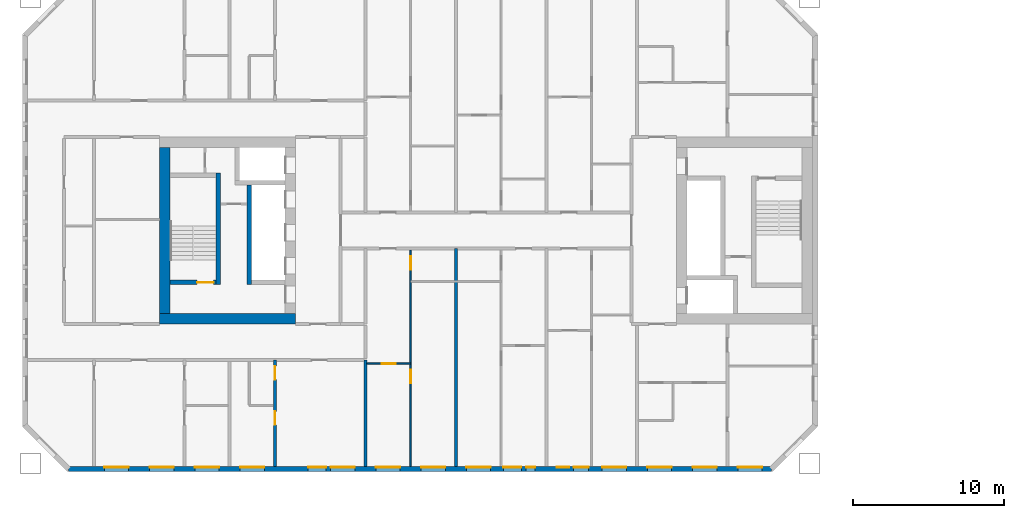
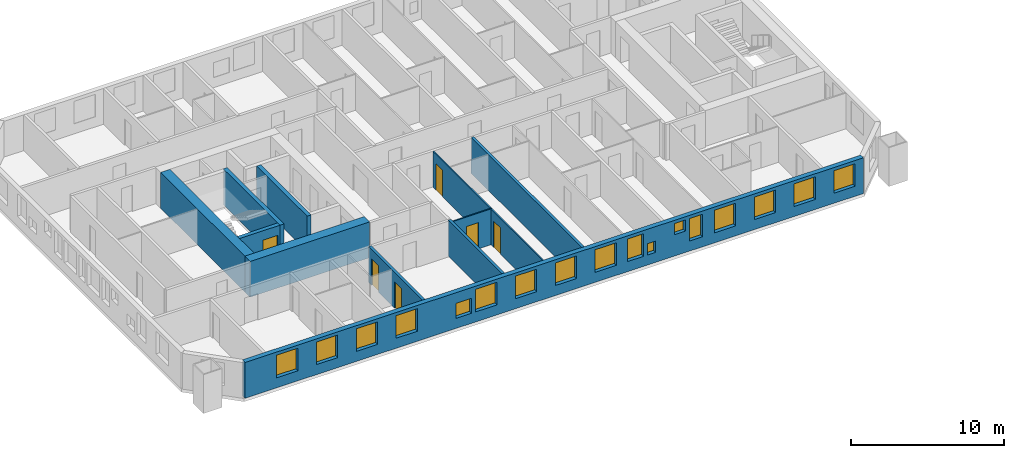
# One storey, part 3 of 17: 17 windows, 11 walls, 6 doors, 23 openings.
"""IFC4 building model written with IfcOpenShell, lengths in metres."""

from ifc_helpers import new_model, si_unit, direction, frame, frame_2d, origin, place, context, subcontext, project, spatial, rectangle, extrude, material, layer, layer_set, type_object, element, fill, save


model = new_model("IFC4")

# Units and contexts
model_context = context("Model", 3, precision=1e-05, world=origin(), true_north=direction((0.0, 1.0)))
body_context = subcontext(model_context, "Body", "Model", "MODEL_VIEW")
ifc_project = project(units=[si_unit("LENGTHUNIT", "METRE"), si_unit("AREAUNIT", "SQUARE_METRE"), si_unit("VOLUMEUNIT", "CUBIC_METRE"), si_unit("PLANEANGLEUNIT", "RADIAN"), si_unit("MASSUNIT", "GRAM", prefix="KILO")], contexts=[model_context])

# Site, building, storey
site_placement = place(None, origin())
site = spatial("IfcSite", under=ifc_project, at=site_placement, CompositionType="ELEMENT")
building_placement = place(site_placement, origin())
building = spatial("IfcBuilding", under=site, at=building_placement, Name="Tuart Gate Housing", CompositionType="ELEMENT")
storey_placement = place(building_placement, frame((0.0, 0.0, 80.89990234375)))
storey = spatial("IfcBuildingStorey", under=building, at=storey_placement, Name="L22", CompositionType="ELEMENT", Elevation=80.89990234375)

# Wall, openings, windows
ifc_material_1 = material(Name="Brick", Category="masonry")
ifc_layer_1 = layer(ifc_material_1, 0.360107421875)
ifc_layer_set_1 = layer_set([ifc_layer_1], Name="Brick pier and spandrel wall 360")
wall_type_1 = type_object("IfcWallType", Name="Brick pier and spandrel wall 360", PredefinedType="STANDARD", material=ifc_layer_set_1)
wall_1_placement = place(storey_placement, frame((26.32470703125, 54.179931640625, 0.0), z_axis=(0.0, 0.0, 1.0), x_axis=(1.0, 0.0, 0.0)))
wall_1 = element("IfcWall", 1, at=wall_1_placement, inside=storey, type_object=wall_type_1, Name="External wall A-S L22", PredefinedType="STANDARD", context=body_context, shape_type="SweptSolid", body=[
    extrude(rectangle(XDim=46.600830078125, YDim=0.360107421875, at=frame_2d((23.30029296875, 0.0))), origin(), (0.0, 0.0, 1.0), 2.85009765625),
])
opening_1_placement = place(wall_1_placement, frame((2.37548828125, 0.0, 0.800048828125)))
opening_1 = element("IfcOpeningElement", 2, at=opening_1_placement, cuts=wall_1, Name="Opening W1", PredefinedType="OPENING", context=body_context, shape_type="SweptSolid", body=[
    extrude(rectangle(XDim=1.60009765625, YDim=1.800048828125, at=frame_2d((0.800048828125, 0.89990234375))), frame((0.0, 0.18994140625, 0.0), z_axis=(0.0, -1.0, 0.0), x_axis=(1.0, 0.0, 0.0)), (0.0, 0.0, 1.0), 0.380126953125),
])
opening_2_placement = place(wall_1_placement, frame((5.37548828125, 0.0, 0.800048828125)))
opening_2 = element("IfcOpeningElement", 3, at=opening_2_placement, cuts=wall_1, Name="Opening W1", PredefinedType="OPENING", context=body_context, shape_type="SweptSolid", body=[
    extrude(rectangle(XDim=1.60009765625, YDim=1.800048828125, at=frame_2d((0.800048828125, 0.89990234375))), frame((0.0, 0.18994140625, 0.0), z_axis=(0.0, -1.0, 0.0), x_axis=(1.0, 0.0, 0.0)), (0.0, 0.0, 1.0), 0.380126953125),
])
opening_3_placement = place(wall_1_placement, frame((8.37548828125, 0.0, 0.800048828125)))
opening_3 = element("IfcOpeningElement", 4, at=opening_3_placement, cuts=wall_1, Name="Opening W1", PredefinedType="OPENING", context=body_context, shape_type="SweptSolid", body=[
    extrude(rectangle(XDim=1.60009765625, YDim=1.800048828125, at=frame_2d((0.800048828125, 0.89990234375))), frame((0.0, 0.18994140625, 0.0), z_axis=(0.0, -1.0, 0.0), x_axis=(1.0, 0.0, 0.0)), (0.0, 0.0, 1.0), 0.380126953125),
])
opening_4_placement = place(wall_1_placement, frame((11.37548828125, 0.0, 0.800048828125)))
opening_4 = element("IfcOpeningElement", 5, at=opening_4_placement, cuts=wall_1, Name="Opening W1", PredefinedType="OPENING", context=body_context, shape_type="SweptSolid", body=[
    extrude(rectangle(XDim=1.60009765625, YDim=1.800048828125, at=frame_2d((0.800048828125, 0.89990234375))), frame((0.0, 0.18994140625, 0.0), z_axis=(0.0, -1.0, 0.0), x_axis=(1.0, 0.0, 0.0)), (0.0, 0.0, 1.0), 0.380126953125),
])
opening_5_placement = place(wall_1_placement, frame((15.87548828125, 0.0, 0.800048828125)))
opening_5 = element("IfcOpeningElement", 6, at=opening_5_placement, cuts=wall_1, Name="Opening W1N", PredefinedType="OPENING", context=body_context, shape_type="SweptSolid", body=[
    extrude(rectangle(XDim=1.199951171875, YDim=1.199951171875, at=frame_2d((0.60009765625, 0.60009765625))), frame((0.0, 0.18994140625, 0.0), z_axis=(0.0, -1.0, 0.0), x_axis=(1.0, 0.0, 0.0)), (0.0, 0.0, 1.0), 0.380126953125),
])
opening_6_placement = place(wall_1_placement, frame((17.37548828125, 0.0, 0.800048828125)))
opening_6 = element("IfcOpeningElement", 7, at=opening_6_placement, cuts=wall_1, Name="Opening W1", PredefinedType="OPENING", context=body_context, shape_type="SweptSolid", body=[
    extrude(rectangle(XDim=1.60009765625, YDim=1.800048828125, at=frame_2d((0.800048828125, 0.89990234375))), frame((0.0, 0.18994140625, 0.0), z_axis=(0.0, -1.0, 0.0), x_axis=(1.0, 0.0, 0.0)), (0.0, 0.0, 1.0), 0.380126953125),
])
opening_7_placement = place(wall_1_placement, frame((20.37548828125, 0.0, 0.800048828125)))
opening_7 = element("IfcOpeningElement", 8, at=opening_7_placement, cuts=wall_1, Name="Opening W1", PredefinedType="OPENING", context=body_context, shape_type="SweptSolid", body=[
    extrude(rectangle(XDim=1.60009765625, YDim=1.800048828125, at=frame_2d((0.800048828125, 0.89990234375))), frame((0.0, 0.18994140625, 0.0), z_axis=(0.0, -1.0, 0.0), x_axis=(1.0, 0.0, 0.0)), (0.0, 0.0, 1.0), 0.380126953125),
])
opening_8_placement = place(wall_1_placement, frame((23.37548828125, 0.0, 0.800048828125)))
opening_8 = element("IfcOpeningElement", 9, at=opening_8_placement, cuts=wall_1, Name="Opening W1", PredefinedType="OPENING", context=body_context, shape_type="SweptSolid", body=[
    extrude(rectangle(XDim=1.60009765625, YDim=1.800048828125, at=frame_2d((0.800048828125, 0.89990234375))), frame((0.0, 0.18994140625, 0.0), z_axis=(0.0, -1.0, 0.0), x_axis=(1.0, 0.0, 0.0)), (0.0, 0.0, 1.0), 0.380126953125),
])
opening_9_placement = place(wall_1_placement, frame((26.37548828125, 0.0, 0.800048828125)))
opening_9 = element("IfcOpeningElement", 10, at=opening_9_placement, cuts=wall_1, Name="Opening W1", PredefinedType="OPENING", context=body_context, shape_type="SweptSolid", body=[
    extrude(rectangle(XDim=1.60009765625, YDim=1.800048828125, at=frame_2d((0.800048828125, 0.89990234375))), frame((0.0, 0.18994140625, 0.0), z_axis=(0.0, -1.0, 0.0), x_axis=(1.0, 0.0, 0.0)), (0.0, 0.0, 1.0), 0.380126953125),
])
opening_10_placement = place(wall_1_placement, frame((28.825439453125, 0.0, 0.800048828125)))
opening_10 = element("IfcOpeningElement", 11, at=opening_10_placement, cuts=wall_1, Name="Opening W1B", PredefinedType="OPENING", context=body_context, shape_type="SweptSolid", body=[
    extrude(rectangle(XDim=1.199951171875, YDim=1.800048828125, at=frame_2d((0.60009765625, 0.89990234375))), frame((0.0, 0.18994140625, 0.0), z_axis=(0.0, -1.0, 0.0), x_axis=(1.0, 0.0, 0.0)), (0.0, 0.0, 1.0), 0.380126953125),
])
opening_11_placement = place(wall_1_placement, frame((32.37548828125, 0.0, 1.699951171875)))
opening_11 = element("IfcOpeningElement", 12, at=opening_11_placement, cuts=wall_1, Name="Opening W1V", PredefinedType="OPENING", context=body_context, shape_type="SweptSolid", body=[
    extrude(rectangle(XDim=0.800048828125, YDim=0.89990234375, at=frame_2d((0.39990234375, 0.449951171875))), frame((0.0, 0.18994140625, 0.0), z_axis=(0.0, -1.0, 0.0), x_axis=(1.0, 0.0, 0.0)), (0.0, 0.0, 1.0), 0.380126953125),
])
opening_12_placement = place(wall_1_placement, frame((35.37548828125, 0.0, 0.800048828125)))
opening_12 = element("IfcOpeningElement", 13, at=opening_12_placement, cuts=wall_1, Name="Opening W1", PredefinedType="OPENING", context=body_context, shape_type="SweptSolid", body=[
    extrude(rectangle(XDim=1.60009765625, YDim=1.800048828125, at=frame_2d((0.800048828125, 0.89990234375))), frame((0.0, 0.18994140625, 0.0), z_axis=(0.0, -1.0, 0.0), x_axis=(1.0, 0.0, 0.0)), (0.0, 0.0, 1.0), 0.380126953125),
])
opening_13_placement = place(wall_1_placement, frame((38.37548828125, 0.0, 0.800048828125)))
opening_13 = element("IfcOpeningElement", 14, at=opening_13_placement, cuts=wall_1, Name="Opening W1", PredefinedType="OPENING", context=body_context, shape_type="SweptSolid", body=[
    extrude(rectangle(XDim=1.60009765625, YDim=1.800048828125, at=frame_2d((0.800048828125, 0.89990234375))), frame((0.0, 0.18994140625, 0.0), z_axis=(0.0, -1.0, 0.0), x_axis=(1.0, 0.0, 0.0)), (0.0, 0.0, 1.0), 0.380126953125),
])
opening_14_placement = place(wall_1_placement, frame((41.37548828125, 0.0, 0.800048828125)))
opening_14 = element("IfcOpeningElement", 15, at=opening_14_placement, cuts=wall_1, Name="Opening W1", PredefinedType="OPENING", context=body_context, shape_type="SweptSolid", body=[
    extrude(rectangle(XDim=1.60009765625, YDim=1.800048828125, at=frame_2d((0.800048828125, 0.89990234375))), frame((0.0, 0.18994140625, 0.0), z_axis=(0.0, -1.0, 0.0), x_axis=(1.0, 0.0, 0.0)), (0.0, 0.0, 1.0), 0.380126953125),
])
opening_15_placement = place(wall_1_placement, frame((44.37548828125, 0.0, 0.800048828125)))
opening_15 = element("IfcOpeningElement", 16, at=opening_15_placement, cuts=wall_1, Name="Opening W1", PredefinedType="OPENING", context=body_context, shape_type="SweptSolid", body=[
    extrude(rectangle(XDim=1.60009765625, YDim=1.800048828125, at=frame_2d((0.800048828125, 0.89990234375))), frame((0.0, 0.18994140625, 0.0), z_axis=(0.0, -1.0, 0.0), x_axis=(1.0, 0.0, 0.0)), (0.0, 0.0, 1.0), 0.380126953125),
])
opening_16_placement = place(wall_1_placement, frame((30.325439453125, 0.0, 0.800048828125)))
opening_16 = element("IfcOpeningElement", 17, at=opening_16_placement, cuts=wall_1, Name="Opening W1W", PredefinedType="OPENING", context=body_context, shape_type="SweptSolid", body=[
    extrude(rectangle(XDim=0.60009765625, YDim=0.89990234375, at=frame_2d((0.300048828125, 0.449951171875))), frame((0.0, 0.18994140625, 0.0), z_axis=(0.0, -1.0, 0.0), x_axis=(1.0, 0.0, 0.0)), (0.0, 0.0, 1.0), 0.380126953125),
])
opening_17_placement = place(wall_1_placement, frame((33.475341796875, 0.0, 0.800048828125)))
opening_17 = element("IfcOpeningElement", 18, at=opening_17_placement, cuts=wall_1, Name="Opening W1C", PredefinedType="OPENING", context=body_context, shape_type="SweptSolid", body=[
    extrude(rectangle(XDim=1.0, YDim=1.800048828125, at=frame_2d((0.5, 0.89990234375))), frame((0.0, 0.18994140625, 0.0), z_axis=(0.0, -1.0, 0.0), x_axis=(1.0, 0.0, 0.0)), (0.0, 0.0, 1.0), 0.380126953125),
])
ifc_material_2 = material(Name="Aluminium frame with clear glass", Category="aluminium")
window_type_1 = type_object("IfcWindowType", Name="Punched window 1000 x 1800", PartitioningType="SINGLE_PANEL", PredefinedType="WINDOW", material=ifc_material_2)
window_1_placement = place(opening_17_placement, origin())
window_1 = element("IfcWindow", 19, at=window_1_placement, inside=storey, type_object=window_type_1, Name="Window W1C", OverallHeight=1.800048828125, OverallWidth=1.0, PartitioningType="SINGLE_PANEL", PredefinedType="WINDOW", context=body_context, shape_type="SweptSolid", body=[
    extrude(rectangle(XDim=1.0, YDim=1.800048828125, at=frame_2d((0.5, 0.89990234375))), frame((0.0, 0.150146484375, 0.0), z_axis=(0.0, -1.0, 0.0), x_axis=(1.0, 0.0, 0.0)), (0.0, 0.0, 1.0), 0.06005859375),
])
fill(opening_17, window_1)
ifc_material_3 = material(Name="Aluminium frame with clear glass", Category="aluminium")
window_type_2 = type_object("IfcWindowType", Name="Punched window 1200 x 1200", PartitioningType="SINGLE_PANEL", PredefinedType="WINDOW", material=ifc_material_3)
window_2_placement = place(opening_5_placement, origin())
window_2 = element("IfcWindow", 20, at=window_2_placement, inside=storey, type_object=window_type_2, Name="Window W1N", OverallHeight=1.199951171875, OverallWidth=1.199951171875, PartitioningType="SINGLE_PANEL", PredefinedType="WINDOW", context=body_context, shape_type="SweptSolid", body=[
    extrude(rectangle(XDim=1.199951171875, YDim=1.199951171875, at=frame_2d((0.60009765625, 0.60009765625))), frame((0.0, 0.150146484375, 0.0), z_axis=(0.0, -1.0, 0.0), x_axis=(1.0, 0.0, 0.0)), (0.0, 0.0, 1.0), 0.06005859375),
])
fill(opening_5, window_2)
ifc_material_4 = material(Name="Aluminium frame with clear glass", Category="aluminium")
window_type_3 = type_object("IfcWindowType", Name="Punched window 1200 x 1800", PartitioningType="SINGLE_PANEL", PredefinedType="WINDOW", material=ifc_material_4)
window_3_placement = place(opening_10_placement, origin())
window_3 = element("IfcWindow", 21, at=window_3_placement, inside=storey, type_object=window_type_3, Name="Window W1B", OverallHeight=1.800048828125, OverallWidth=1.199951171875, PartitioningType="SINGLE_PANEL", PredefinedType="WINDOW", context=body_context, shape_type="SweptSolid", body=[
    extrude(rectangle(XDim=1.199951171875, YDim=1.800048828125, at=frame_2d((0.60009765625, 0.89990234375))), frame((0.0, 0.150146484375, 0.0), z_axis=(0.0, -1.0, 0.0), x_axis=(1.0, 0.0, 0.0)), (0.0, 0.0, 1.0), 0.06005859375),
])
fill(opening_10, window_3)
ifc_material_5 = material(Name="Aluminium frame with clear glass", Category="aluminium")
window_type_4 = type_object("IfcWindowType", Name="Punched window 1600 x 1800", PartitioningType="SINGLE_PANEL", PredefinedType="WINDOW", material=ifc_material_5)
window_4_placement = place(opening_1_placement, origin())
window_4 = element("IfcWindow", 22, at=window_4_placement, inside=storey, type_object=window_type_4, Name="Window W1", OverallHeight=1.800048828125, OverallWidth=1.60009765625, PartitioningType="SINGLE_PANEL", PredefinedType="WINDOW", context=body_context, shape_type="SweptSolid", body=[
    extrude(rectangle(XDim=1.60009765625, YDim=1.800048828125, at=frame_2d((0.800048828125, 0.89990234375))), frame((0.0, 0.150146484375, 0.0), z_axis=(0.0, -1.0, 0.0), x_axis=(1.0, 0.0, 0.0)), (0.0, 0.0, 1.0), 0.06005859375),
])
fill(opening_1, window_4)
window_5_placement = place(opening_2_placement, origin())
window_5 = element("IfcWindow", 23, at=window_5_placement, inside=storey, type_object=window_type_4, Name="Window W1", OverallHeight=1.800048828125, OverallWidth=1.60009765625, PartitioningType="SINGLE_PANEL", PredefinedType="WINDOW", context=body_context, shape_type="SweptSolid", body=[
    extrude(rectangle(XDim=1.60009765625, YDim=1.800048828125, at=frame_2d((0.800048828125, 0.89990234375))), frame((0.0, 0.150146484375, 0.0), z_axis=(0.0, -1.0, 0.0), x_axis=(1.0, 0.0, 0.0)), (0.0, 0.0, 1.0), 0.06005859375),
])
fill(opening_2, window_5)
window_6_placement = place(opening_3_placement, origin())
window_6 = element("IfcWindow", 24, at=window_6_placement, inside=storey, type_object=window_type_4, Name="Window W1", OverallHeight=1.800048828125, OverallWidth=1.60009765625, PartitioningType="SINGLE_PANEL", PredefinedType="WINDOW", context=body_context, shape_type="SweptSolid", body=[
    extrude(rectangle(XDim=1.60009765625, YDim=1.800048828125, at=frame_2d((0.800048828125, 0.89990234375))), frame((0.0, 0.150146484375, 0.0), z_axis=(0.0, -1.0, 0.0), x_axis=(1.0, 0.0, 0.0)), (0.0, 0.0, 1.0), 0.06005859375),
])
fill(opening_3, window_6)
window_7_placement = place(opening_4_placement, origin())
window_7 = element("IfcWindow", 25, at=window_7_placement, inside=storey, type_object=window_type_4, Name="Window W1", OverallHeight=1.800048828125, OverallWidth=1.60009765625, PartitioningType="SINGLE_PANEL", PredefinedType="WINDOW", context=body_context, shape_type="SweptSolid", body=[
    extrude(rectangle(XDim=1.60009765625, YDim=1.800048828125, at=frame_2d((0.800048828125, 0.89990234375))), frame((0.0, 0.150146484375, 0.0), z_axis=(0.0, -1.0, 0.0), x_axis=(1.0, 0.0, 0.0)), (0.0, 0.0, 1.0), 0.06005859375),
])
fill(opening_4, window_7)
window_8_placement = place(opening_6_placement, origin())
window_8 = element("IfcWindow", 26, at=window_8_placement, inside=storey, type_object=window_type_4, Name="Window W1", OverallHeight=1.800048828125, OverallWidth=1.60009765625, PartitioningType="SINGLE_PANEL", PredefinedType="WINDOW", context=body_context, shape_type="SweptSolid", body=[
    extrude(rectangle(XDim=1.60009765625, YDim=1.800048828125, at=frame_2d((0.800048828125, 0.89990234375))), frame((0.0, 0.150146484375, 0.0), z_axis=(0.0, -1.0, 0.0), x_axis=(1.0, 0.0, 0.0)), (0.0, 0.0, 1.0), 0.06005859375),
])
fill(opening_6, window_8)
window_9_placement = place(opening_7_placement, origin())
window_9 = element("IfcWindow", 27, at=window_9_placement, inside=storey, type_object=window_type_4, Name="Window W1", OverallHeight=1.800048828125, OverallWidth=1.60009765625, PartitioningType="SINGLE_PANEL", PredefinedType="WINDOW", context=body_context, shape_type="SweptSolid", body=[
    extrude(rectangle(XDim=1.60009765625, YDim=1.800048828125, at=frame_2d((0.800048828125, 0.89990234375))), frame((0.0, 0.150146484375, 0.0), z_axis=(0.0, -1.0, 0.0), x_axis=(1.0, 0.0, 0.0)), (0.0, 0.0, 1.0), 0.06005859375),
])
fill(opening_7, window_9)
window_10_placement = place(opening_8_placement, origin())
window_10 = element("IfcWindow", 28, at=window_10_placement, inside=storey, type_object=window_type_4, Name="Window W1", OverallHeight=1.800048828125, OverallWidth=1.60009765625, PartitioningType="SINGLE_PANEL", PredefinedType="WINDOW", context=body_context, shape_type="SweptSolid", body=[
    extrude(rectangle(XDim=1.60009765625, YDim=1.800048828125, at=frame_2d((0.800048828125, 0.89990234375))), frame((0.0, 0.150146484375, 0.0), z_axis=(0.0, -1.0, 0.0), x_axis=(1.0, 0.0, 0.0)), (0.0, 0.0, 1.0), 0.06005859375),
])
fill(opening_8, window_10)
window_11_placement = place(opening_9_placement, origin())
window_11 = element("IfcWindow", 29, at=window_11_placement, inside=storey, type_object=window_type_4, Name="Window W1", OverallHeight=1.800048828125, OverallWidth=1.60009765625, PartitioningType="SINGLE_PANEL", PredefinedType="WINDOW", context=body_context, shape_type="SweptSolid", body=[
    extrude(rectangle(XDim=1.60009765625, YDim=1.800048828125, at=frame_2d((0.800048828125, 0.89990234375))), frame((0.0, 0.150146484375, 0.0), z_axis=(0.0, -1.0, 0.0), x_axis=(1.0, 0.0, 0.0)), (0.0, 0.0, 1.0), 0.06005859375),
])
fill(opening_9, window_11)
window_12_placement = place(opening_12_placement, origin())
window_12 = element("IfcWindow", 30, at=window_12_placement, inside=storey, type_object=window_type_4, Name="Window W1", OverallHeight=1.800048828125, OverallWidth=1.60009765625, PartitioningType="SINGLE_PANEL", PredefinedType="WINDOW", context=body_context, shape_type="SweptSolid", body=[
    extrude(rectangle(XDim=1.60009765625, YDim=1.800048828125, at=frame_2d((0.800048828125, 0.89990234375))), frame((0.0, 0.150146484375, 0.0), z_axis=(0.0, -1.0, 0.0), x_axis=(1.0, 0.0, 0.0)), (0.0, 0.0, 1.0), 0.06005859375),
])
fill(opening_12, window_12)
window_13_placement = place(opening_13_placement, origin())
window_13 = element("IfcWindow", 31, at=window_13_placement, inside=storey, type_object=window_type_4, Name="Window W1", OverallHeight=1.800048828125, OverallWidth=1.60009765625, PartitioningType="SINGLE_PANEL", PredefinedType="WINDOW", context=body_context, shape_type="SweptSolid", body=[
    extrude(rectangle(XDim=1.60009765625, YDim=1.800048828125, at=frame_2d((0.800048828125, 0.89990234375))), frame((0.0, 0.150146484375, 0.0), z_axis=(0.0, -1.0, 0.0), x_axis=(1.0, 0.0, 0.0)), (0.0, 0.0, 1.0), 0.06005859375),
])
fill(opening_13, window_13)
window_14_placement = place(opening_14_placement, origin())
window_14 = element("IfcWindow", 32, at=window_14_placement, inside=storey, type_object=window_type_4, Name="Window W1", OverallHeight=1.800048828125, OverallWidth=1.60009765625, PartitioningType="SINGLE_PANEL", PredefinedType="WINDOW", context=body_context, shape_type="SweptSolid", body=[
    extrude(rectangle(XDim=1.60009765625, YDim=1.800048828125, at=frame_2d((0.800048828125, 0.89990234375))), frame((0.0, 0.150146484375, 0.0), z_axis=(0.0, -1.0, 0.0), x_axis=(1.0, 0.0, 0.0)), (0.0, 0.0, 1.0), 0.06005859375),
])
fill(opening_14, window_14)
window_15_placement = place(opening_15_placement, origin())
window_15 = element("IfcWindow", 33, at=window_15_placement, inside=storey, type_object=window_type_4, Name="Window W1", OverallHeight=1.800048828125, OverallWidth=1.60009765625, PartitioningType="SINGLE_PANEL", PredefinedType="WINDOW", context=body_context, shape_type="SweptSolid", body=[
    extrude(rectangle(XDim=1.60009765625, YDim=1.800048828125, at=frame_2d((0.800048828125, 0.89990234375))), frame((0.0, 0.150146484375, 0.0), z_axis=(0.0, -1.0, 0.0), x_axis=(1.0, 0.0, 0.0)), (0.0, 0.0, 1.0), 0.06005859375),
])
fill(opening_15, window_15)
ifc_material_6 = material(Name="Aluminium frame with clear glass", Category="aluminium")
window_type_5 = type_object("IfcWindowType", Name="Punched window 600 x 900", PartitioningType="SINGLE_PANEL", PredefinedType="WINDOW", material=ifc_material_6)
window_16_placement = place(opening_16_placement, origin())
window_16 = element("IfcWindow", 34, at=window_16_placement, inside=storey, type_object=window_type_5, Name="Window W1W", OverallHeight=0.89990234375, OverallWidth=0.60009765625, PartitioningType="SINGLE_PANEL", PredefinedType="WINDOW", context=body_context, shape_type="SweptSolid", body=[
    extrude(rectangle(XDim=0.60009765625, YDim=0.89990234375, at=frame_2d((0.300048828125, 0.449951171875))), frame((0.0, 0.150146484375, 0.0), z_axis=(0.0, -1.0, 0.0), x_axis=(1.0, 0.0, 0.0)), (0.0, 0.0, 1.0), 0.06005859375),
])
fill(opening_16, window_16)
ifc_material_7 = material(Name="Aluminium frame with clear glass", Category="aluminium")
window_type_6 = type_object("IfcWindowType", Name="Punched window 800 x 900", PartitioningType="SINGLE_PANEL", PredefinedType="WINDOW", material=ifc_material_7)
window_17_placement = place(opening_11_placement, origin())
window_17 = element("IfcWindow", 35, at=window_17_placement, inside=storey, type_object=window_type_6, Name="Window W1V", OverallHeight=0.89990234375, OverallWidth=0.800048828125, PartitioningType="SINGLE_PANEL", PredefinedType="WINDOW", context=body_context, shape_type="SweptSolid", body=[
    extrude(rectangle(XDim=0.800048828125, YDim=0.89990234375, at=frame_2d((0.39990234375, 0.449951171875))), frame((0.0, 0.150146484375, 0.0), z_axis=(0.0, -1.0, 0.0), x_axis=(1.0, 0.0, 0.0)), (0.0, 0.0, 1.0), 0.06005859375),
])
fill(opening_11, window_17)

# Wall, opening, door
ifc_material_8 = material(Name="Concrete C50", Category="concrete")
ifc_layer_2 = layer(ifc_material_8, 0.300048828125)
ifc_layer_set_2 = layer_set([ifc_layer_2], Name="Core wall 300 C50")
wall_type_2 = type_object("IfcWallType", Name="Core wall 300 C50", PredefinedType="SHEAR", material=ifc_layer_set_2)
wall_2_placement = place(storey_placement, frame((36.110107421875, 66.550048828125, 0.0), z_axis=(0.0, 0.0, 1.0), x_axis=(-1.0, 0.0, 0.0)))
wall_2 = element("IfcWall", 36, at=wall_2_placement, inside=storey, type_object=wall_type_2, Name="Core wall AK.5", PredefinedType="SHEAR", context=body_context, shape_type="SweptSolid", body=[
    extrude(rectangle(XDim=3.050048828125, YDim=0.300048828125, at=frame_2d((1.52490234375, 0.0))), origin(), (0.0, 0.0, 1.0), 2.85009765625),
])
opening_18_placement = place(wall_2_placement, frame((0.169921875, 0.0, 0.0)))
opening_18 = element("IfcOpeningElement", 37, at=opening_18_placement, cuts=wall_2, Name="Opening D989", PredefinedType="OPENING", context=body_context, shape_type="SweptSolid", body=[
    extrude(rectangle(XDim=1.10009765625, YDim=2.10009765625, at=frame_2d((0.550048828125, 1.050048828125))), frame((0.0, 0.159912109375, 0.0), z_axis=(0.0, -1.0, 0.0), x_axis=(1.0, 0.0, 0.0)), (0.0, 0.0, 1.0), 0.320068359375),
])
ifc_material_9 = material(Name="Steel fire door", Category="steel")
door_type_1 = type_object("IfcDoorType", Name="Stair door 1100 x 2100 RH", OperationType="SINGLE_SWING_RIGHT", PredefinedType="DOOR", material=ifc_material_9)
door_1_placement = place(opening_18_placement, frame((1.10009765625, 0.0, 0.0), z_axis=(0.0, 0.0, 1.0), x_axis=(-1.0, 0.0, 0.0)))
door_1 = element("IfcDoor", 38, at=door_1_placement, inside=storey, type_object=door_type_1, Name="Stair door AK.SD", OperationType="SINGLE_SWING_RIGHT", OverallHeight=2.10009765625, OverallWidth=1.10009765625, PredefinedType="DOOR", context=body_context, shape_type="SweptSolid", body=[
    extrude(rectangle(XDim=1.10009765625, YDim=2.10009765625, at=frame_2d((0.550048828125, 1.050048828125))), frame((0.0, 0.025146484375, 0.0), z_axis=(0.0, -1.0, 0.0), x_axis=(1.0, 0.0, 0.0)), (0.0, 0.0, 1.0), 0.050048828125),
])
fill(opening_18, door_1)

# Walls
wall_3_placement = place(storey_placement, frame((38.31005859375, 73.0, 0.0), z_axis=(0.0, 0.0, 1.0), x_axis=(0.0, -1.0, 0.0)))
element("IfcWall", 39, at=wall_3_placement, inside=storey, type_object=wall_type_2, Name="Core wall AK.6", PredefinedType="SHEAR", context=body_context, shape_type="SweptSolid", body=[
    extrude(rectangle(XDim=6.60009765625, YDim=0.300048828125, at=frame_2d((3.300048828125, 0.0))), origin(), (0.0, 0.0, 1.0), 2.85009765625),
])
wall_4_placement = place(storey_placement, frame((36.260009765625, 73.800048828125, 0.0), z_axis=(0.0, 0.0, 1.0), x_axis=(0.0, -1.0, 0.0)))
element("IfcWall", 40, at=wall_4_placement, inside=storey, type_object=wall_type_2, Name="Core wall AK.8", PredefinedType="SHEAR", context=body_context, shape_type="SweptSolid", body=[
    extrude(rectangle(XDim=7.400146484375, YDim=0.300048828125, at=frame_2d((3.7001953125, 0.0))), origin(), (0.0, 0.0, 1.0), 2.85009765625),
])
ifc_material_10 = material(Name="Concrete C50", Category="concrete")
ifc_layer_3 = layer(ifc_material_10, 0.699951171875)
ifc_layer_set_3 = layer_set([ifc_layer_3], Name="Core wall 700 C50")
wall_type_3 = type_object("IfcWallType", Name="Core wall 700 C50", PredefinedType="SHEAR", material=ifc_layer_set_3)
wall_5_placement = place(storey_placement, frame((32.7099609375, 75.5, 0.0), z_axis=(0.0, 0.0, 1.0), x_axis=(0.0, -1.0, 0.0)))
element("IfcWall", 41, at=wall_5_placement, inside=storey, type_object=wall_type_3, Name="Core wall AK back", PredefinedType="SHEAR", context=body_context, shape_type="SweptSolid", body=[
    extrude(rectangle(XDim=11.0, YDim=0.699951171875, at=frame_2d((5.5, 0.0))), origin(), (0.0, 0.0, 1.0), 2.85009765625),
])
wall_6_placement = place(storey_placement, frame((41.360107421875, 64.14990234375, 0.0), z_axis=(0.0, 0.0, 1.0), x_axis=(-1.0, 0.0, 0.0)))
element("IfcWall", 42, at=wall_6_placement, inside=storey, type_object=wall_type_3, Name="Core wall AK north", PredefinedType="SHEAR", context=body_context, shape_type="SweptSolid", body=[
    extrude(rectangle(XDim=9.0, YDim=0.699951171875, at=frame_2d((4.5, 0.0))), origin(), (0.0, 0.0, 1.0), 2.85009765625),
])

# Wall, opening, door
ifc_material_11 = material(Name="Gypsum board on steel studs", Category="steel")
ifc_layer_4 = layer(ifc_material_11, 0.10009765625)
ifc_layer_set_4 = layer_set([ifc_layer_4], Name="Partition 100")
wall_type_4 = type_object("IfcWallType", Name="Partition 100", PredefinedType="PARTITIONING", material=ifc_layer_set_4)
wall_7_placement = place(storey_placement, frame((46.10009765625, 61.159912109375, 0.0), z_axis=(0.0, 0.0, 1.0), x_axis=(1.0, 0.0, 0.0)))
wall_7 = element("IfcWall", 43, at=wall_7_placement, inside=storey, type_object=wall_type_4, Name="Partition 100", PredefinedType="PARTITIONING", context=body_context, shape_type="SweptSolid", body=[
    extrude(rectangle(XDim=2.89990234375, YDim=0.10009765625, at=frame_2d((1.449951171875, 0.0))), origin(), (0.0, 0.0, 1.0), 2.85009765625),
])
opening_19_placement = place(wall_7_placement, frame((1.0, 0.0, 0.0)))
opening_19 = element("IfcOpeningElement", 44, at=opening_19_placement, cuts=wall_7, Name="Opening D1003", PredefinedType="OPENING", context=body_context, shape_type="SweptSolid", body=[
    extrude(rectangle(XDim=0.89990234375, YDim=2.10009765625, at=frame_2d((0.449951171875, 1.050048828125))), frame((0.0, 0.06005859375, 0.0), z_axis=(0.0, -1.0, 0.0), x_axis=(1.0, 0.0, 0.0)), (0.0, 0.0, 1.0), 0.1201171875),
])
ifc_material_12 = material(Name="Timber door leaf in steel frame", Category="steel")
door_type_2 = type_object("IfcDoorType", Name="Internal door 900 RH", OperationType="SINGLE_SWING_RIGHT", PredefinedType="DOOR", material=ifc_material_12)
door_2_placement = place(opening_19_placement, origin())
door_2 = element("IfcDoor", 45, at=door_2_placement, inside=storey, type_object=door_type_2, Name="Internal door", OperationType="SINGLE_SWING_RIGHT", OverallHeight=2.10009765625, OverallWidth=0.89990234375, PredefinedType="DOOR", context=body_context, shape_type="SweptSolid", body=[
    extrude(rectangle(XDim=0.89990234375, YDim=2.10009765625, at=frame_2d((0.449951171875, 1.050048828125))), frame((0.0, 0.02490234375, 0.0), z_axis=(0.0, -1.0, 0.0), x_axis=(1.0, 0.0, 0.0)), (0.0, 0.0, 1.0), 0.050048828125),
])
fill(opening_19, door_2)

# Wall, openings, doors
wall_8_placement = place(storey_placement, frame((49.0, 54.360107421875, 0.0), z_axis=(0.0, 0.0, 1.0), x_axis=(0.0, 1.0, 0.0)))
wall_8 = element("IfcWall", 46, at=wall_8_placement, inside=storey, type_object=wall_type_4, Name="Partition 100", PredefinedType="PARTITIONING", context=body_context, shape_type="SweptSolid", body=[
    extrude(rectangle(XDim=14.33984375, YDim=0.10009765625, at=frame_2d((7.169921875, 0.0))), origin(), (0.0, 0.0, 1.0), 2.85009765625),
])
opening_20_placement = place(wall_8_placement, frame((5.5, 0.0, 0.0)))
opening_20 = element("IfcOpeningElement", 47, at=opening_20_placement, cuts=wall_8, Name="Opening D996", PredefinedType="OPENING", context=body_context, shape_type="SweptSolid", body=[
    extrude(rectangle(XDim=0.89990234375, YDim=2.10009765625, at=frame_2d((0.449951171875, 1.050048828125))), frame((0.0, 0.06005859375, 0.0), z_axis=(0.0, -1.0, 0.0), x_axis=(1.0, 0.0, 0.0)), (0.0, 0.0, 1.0), 0.1201171875),
])
opening_21_placement = place(wall_8_placement, frame((13.0400390625, 0.0, 0.0)))
opening_21 = element("IfcOpeningElement", 48, at=opening_21_placement, cuts=wall_8, Name="Opening D995", PredefinedType="OPENING", context=body_context, shape_type="SweptSolid", body=[
    extrude(rectangle(XDim=0.89990234375, YDim=2.10009765625, at=frame_2d((0.449951171875, 1.050048828125))), frame((0.0, 0.06005859375, 0.0), z_axis=(0.0, -1.0, 0.0), x_axis=(1.0, 0.0, 0.0)), (0.0, 0.0, 1.0), 0.1201171875),
])
ifc_material_13 = material(Name="Timber door leaf in steel frame", Category="steel")
door_type_3 = type_object("IfcDoorType", Name="Bathroom door 900", OperationType="SINGLE_SWING_LEFT", PredefinedType="DOOR", material=ifc_material_13)
door_3_placement = place(opening_21_placement, frame((0.89990234375, 0.0, 0.0), z_axis=(0.0, 0.0, 1.0), x_axis=(-1.0, 0.0, 0.0)))
door_3 = element("IfcDoor", 49, at=door_3_placement, inside=storey, type_object=door_type_3, Name="Bathroom door", OperationType="SINGLE_SWING_LEFT", OverallHeight=2.10009765625, OverallWidth=0.89990234375, PredefinedType="DOOR", context=body_context, shape_type="SweptSolid", body=[
    extrude(rectangle(XDim=0.89990234375, YDim=2.10009765625, at=frame_2d((0.449951171875, 1.050048828125))), frame((0.0, 0.025146484375, 0.0), z_axis=(0.0, -1.0, 0.0), x_axis=(1.0, 0.0, 0.0)), (0.0, 0.0, 1.0), 0.050048828125),
])
fill(opening_21, door_3)
door_4_placement = place(opening_20_placement, frame((0.89990234375, 0.0, 0.0), z_axis=(0.0, 0.0, 1.0), x_axis=(-1.0, 0.0, 0.0)))
door_4 = element("IfcDoor", 50, at=door_4_placement, inside=storey, type_object=door_type_2, Name="Internal door", OperationType="SINGLE_SWING_RIGHT", OverallHeight=2.10009765625, OverallWidth=0.89990234375, PredefinedType="DOOR", context=body_context, shape_type="SweptSolid", body=[
    extrude(rectangle(XDim=0.89990234375, YDim=2.10009765625, at=frame_2d((0.449951171875, 1.050048828125))), frame((0.0, 0.025146484375, 0.0), z_axis=(0.0, -1.0, 0.0), x_axis=(1.0, 0.0, 0.0)), (0.0, 0.0, 1.0), 0.050048828125),
])
fill(opening_20, door_4)

ifc_material_14 = material(Name="Concrete C40", Category="concrete")
ifc_layer_5 = layer(ifc_material_14, 0.199951171875)
ifc_layer_set_5 = layer_set([ifc_layer_5], Name="Party wall concrete C40 200")
wall_type_5 = type_object("IfcWallType", Name="Party wall concrete C40 200", PredefinedType="SOLIDWALL", material=ifc_layer_set_5)
wall_9_placement = place(storey_placement, frame((40.0, 54.360107421875, 0.0), z_axis=(0.0, 0.0, 1.0), x_axis=(0.0, 1.0, 0.0)))
wall_9 = element("IfcWall", 51, at=wall_9_placement, inside=storey, type_object=wall_type_5, Name="Party wall concrete C40 200", PredefinedType="SOLIDWALL", context=body_context, shape_type="SweptSolid", body=[
    extrude(rectangle(XDim=7.039794921875, YDim=0.199951171875, at=frame_2d((3.52001953125, 0.0))), origin(), (0.0, 0.0, 1.0), 2.85009765625),
])
opening_22_placement = place(wall_9_placement, frame((2.739990234375, 0.0, 0.0)))
opening_22 = element("IfcOpeningElement", 52, at=opening_22_placement, cuts=wall_9, Name="Opening D1012", PredefinedType="OPENING", context=body_context, shape_type="SweptSolid", body=[
    extrude(rectangle(XDim=0.89990234375, YDim=2.10009765625, at=frame_2d((0.449951171875, 1.050048828125))), frame((0.0, 0.10986328125, 0.0), z_axis=(0.0, -1.0, 0.0), x_axis=(1.0, 0.0, 0.0)), (0.0, 0.0, 1.0), 0.219970703125),
])
opening_23_placement = place(wall_9_placement, frame((5.739990234375, 0.0, 0.0)))
opening_23 = element("IfcOpeningElement", 53, at=opening_23_placement, cuts=wall_9, Name="Opening D1011", PredefinedType="OPENING", context=body_context, shape_type="SweptSolid", body=[
    extrude(rectangle(XDim=0.89990234375, YDim=2.10009765625, at=frame_2d((0.449951171875, 1.050048828125))), frame((0.0, 0.10986328125, 0.0), z_axis=(0.0, -1.0, 0.0), x_axis=(1.0, 0.0, 0.0)), (0.0, 0.0, 1.0), 0.219970703125),
])
ifc_material_15 = material(Name="Timber door leaf in steel frame", Category="steel")
door_type_4 = type_object("IfcDoorType", Name="Bathroom door 900 RH", OperationType="SINGLE_SWING_RIGHT", PredefinedType="DOOR", material=ifc_material_15)
door_5_placement = place(opening_23_placement, origin())
door_5 = element("IfcDoor", 54, at=door_5_placement, inside=storey, type_object=door_type_4, Name="Bathroom door", OperationType="SINGLE_SWING_RIGHT", OverallHeight=2.10009765625, OverallWidth=0.89990234375, PredefinedType="DOOR", context=body_context, shape_type="SweptSolid", body=[
    extrude(rectangle(XDim=0.89990234375, YDim=2.10009765625, at=frame_2d((0.449951171875, 1.050048828125))), frame((0.0, 0.02490234375, 0.0), z_axis=(0.0, -1.0, 0.0), x_axis=(1.0, 0.0, 0.0)), (0.0, 0.0, 1.0), 0.050048828125),
])
fill(opening_23, door_5)
door_6_placement = place(opening_22_placement, origin())
door_6 = element("IfcDoor", 55, at=door_6_placement, inside=storey, type_object=door_type_2, Name="Internal door", OperationType="SINGLE_SWING_RIGHT", OverallHeight=2.10009765625, OverallWidth=0.89990234375, PredefinedType="DOOR", context=body_context, shape_type="SweptSolid", body=[
    extrude(rectangle(XDim=0.89990234375, YDim=2.10009765625, at=frame_2d((0.449951171875, 1.050048828125))), frame((0.0, 0.02490234375, 0.0), z_axis=(0.0, -1.0, 0.0), x_axis=(1.0, 0.0, 0.0)), (0.0, 0.0, 1.0), 0.050048828125),
])
fill(opening_22, door_6)

# Walls
wall_10_placement = place(storey_placement, frame((46.0, 54.360107421875, 0.0), z_axis=(0.0, 0.0, 1.0), x_axis=(0.0, 1.0, 0.0)))
element("IfcWall", 56, at=wall_10_placement, inside=storey, type_object=wall_type_5, Name="Party wall concrete C40 200", PredefinedType="SOLIDWALL", context=body_context, shape_type="SweptSolid", body=[
    extrude(rectangle(XDim=7.039794921875, YDim=0.199951171875, at=frame_2d((3.52001953125, 0.0))), origin(), (0.0, 0.0, 1.0), 2.85009765625),
])
wall_11_placement = place(storey_placement, frame((52.0, 54.360107421875, 0.0), z_axis=(0.0, 0.0, 1.0), x_axis=(0.0, 1.0, 0.0)))
element("IfcWall", 57, at=wall_11_placement, inside=storey, type_object=wall_type_5, Name="Party wall concrete C40 200", PredefinedType="SOLIDWALL", context=body_context, shape_type="SweptSolid", body=[
    extrude(rectangle(XDim=14.43994140625, YDim=0.199951171875, at=frame_2d((7.219970703125, 0.0))), origin(), (0.0, 0.0, 1.0), 2.85009765625),
])

save(model, "model.ifc")
